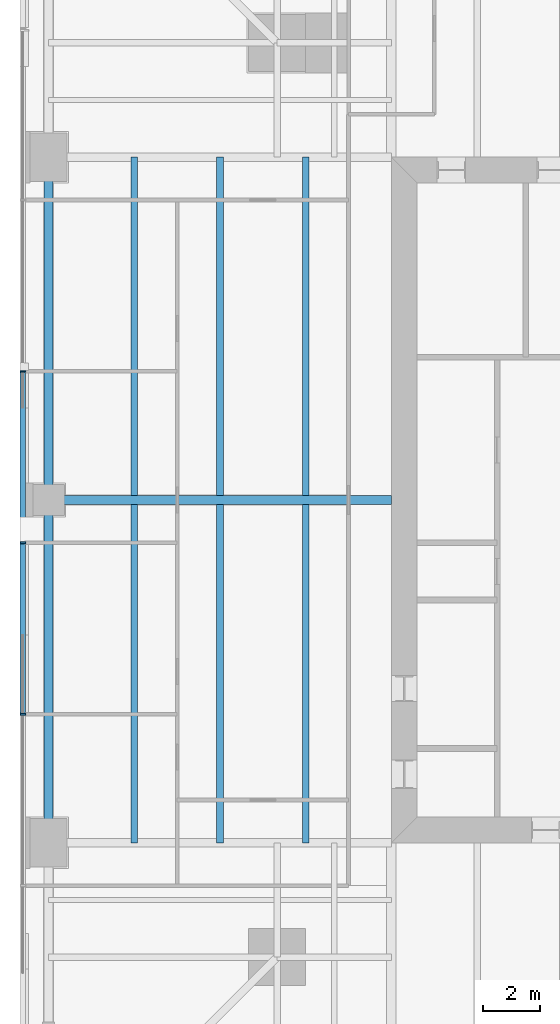
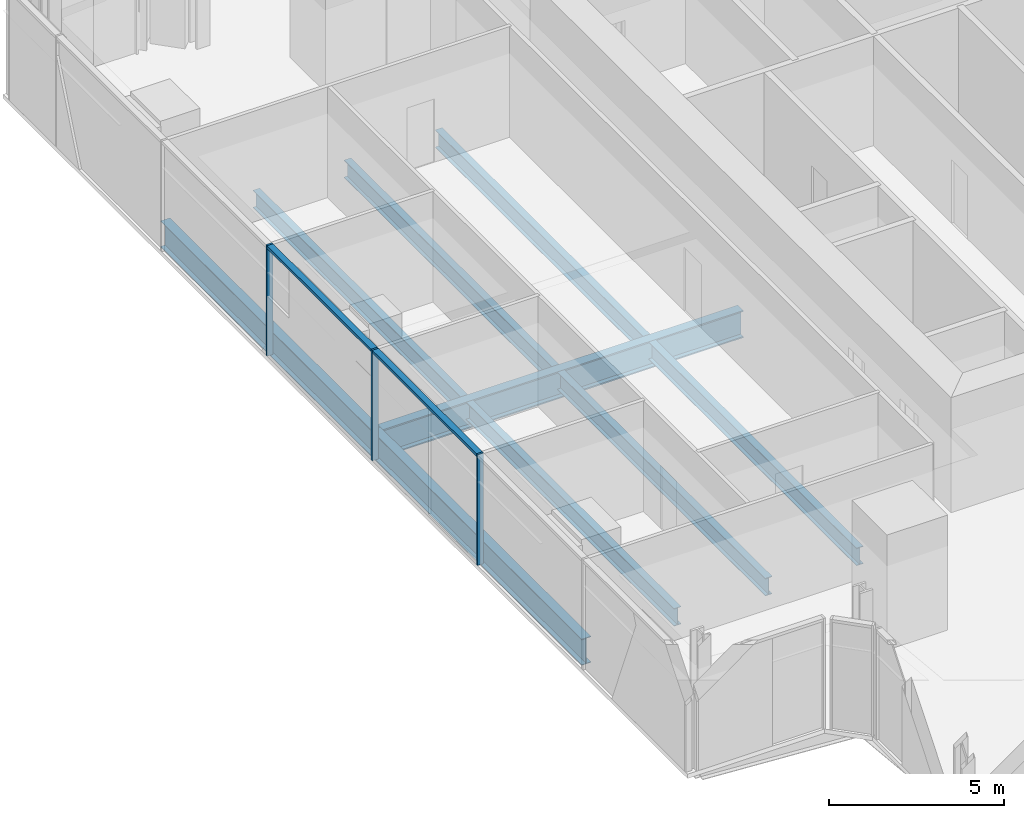
# One storey, part 4 of 16: 9 beams, 5 members, 1 element without a shape of its own.
"""IFC4 building model written with IfcOpenShell, lengths in metres."""

from ifc_helpers import new_model, si_unit, direction, frame, origin, origin_2d, place, context, subcontext, project, spatial, rectangle, i_section, extrude, material, material_profile, profile_set, type_object, element, aggregate, save


model = new_model("IFC4")

# Units and contexts
model_context = context("Model", 3, precision=1e-05, world=origin(), true_north=direction((0.0, 1.0)))
body_context = subcontext(model_context, "Body", "Model", "MODEL_VIEW")
ifc_project = project(units=[si_unit("LENGTHUNIT", "METRE"), si_unit("AREAUNIT", "SQUARE_METRE"), si_unit("VOLUMEUNIT", "CUBIC_METRE"), si_unit("PLANEANGLEUNIT", "RADIAN"), si_unit("MASSUNIT", "GRAM", prefix="KILO")], contexts=[model_context])

# Site, building, storey
site_placement = place(None, origin())
site = spatial("IfcSite", under=ifc_project, at=site_placement, CompositionType="ELEMENT")
building_placement = place(site_placement, origin())
building = spatial("IfcBuilding", under=site, at=building_placement, Name="Fenwick Lantern Interchange", CompositionType="ELEMENT")
storey_placement = place(building_placement, frame((0.0, 0.0, 213.800048828125)))
storey = spatial("IfcBuildingStorey", under=building, at=storey_placement, Name="L50", CompositionType="ELEMENT", Elevation=213.800048828125)

# Beams
ifc_material_1 = material(Name="Steel ASTM A992 Grade 50", Category="steel")
ifc_material_profile_1 = material_profile(ifc_material_1, i_section(OverallWidth=0.3046875, OverallDepth=0.911865234375, WebThickness=0.015869140625, FlangeThickness=0.02392578125, at=origin_2d()), Name="W36X150")
ifc_profile_set_1 = profile_set([ifc_material_profile_1], Name="Steel ASTM A992 Grade 50")
beam_type_1 = type_object("IfcBeamType", Name="EDGE BEAM W36X150", PredefinedType="SPANDREL", material=ifc_profile_set_1)
for number, where, z_axis, x_axis, name in (
    (1, (1.0, 37.0, -0.60595703125), (0.0, -1.0, 0.0), (1.0, 0.0, 0.0), "L50/FR/W/EB2"),
    (2, (1.0, 25.0, -0.60595703125), (0.0, -1.0, 0.0), (1.0, 0.0, 0.0), "L50/FR/W/EB3"),
):
    element("IfcBeam", number, at=place(storey_placement, frame(where, z_axis=z_axis, x_axis=x_axis)), inside=storey, type_object=beam_type_1, Name=name, PredefinedType="SPANDREL", context=body_context, shape_type="SweptSolid", body=[
        extrude(i_section(OverallWidth=0.3046875, OverallDepth=0.911865234375, WebThickness=0.015869140625, FlangeThickness=0.02392578125, at=origin_2d()), origin(), (0.0, 0.0, 1.0), 12.0),
    ])
ifc_material_profile_2 = material_profile(ifc_material_1, i_section(OverallWidth=0.22900390625, OverallDepth=0.612060546875, WebThickness=0.011962890625, FlangeThickness=0.01953125, at=origin_2d()), Name="W24X84")
ifc_profile_set_2 = profile_set([ifc_material_profile_2], Name="Steel ASTM A992 Grade 50")
beam_type_2 = type_object("IfcBeamType", Name="FLOOR BEAM W24X84", PredefinedType="BEAM", material=ifc_profile_set_2)
for number, where, z_axis, x_axis, name in (
    (3, (4.0, 37.0, -0.4560546875), (0.0, -1.0, 0.0), (1.0, 0.0, 0.0), "L50/FR/W/B01"),
    (4, (7.0, 37.0, -0.4560546875), (0.0, -1.0, 0.0), (1.0, 0.0, 0.0), "L50/FR/W/B02"),
    (5, (10.0, 37.0, -0.4560546875), (0.0, -1.0, 0.0), (1.0, 0.0, 0.0), "L50/FR/W/B03"),
    (6, (4.0, 24.844970703125, -0.4560546875), (0.0, -1.0, 0.0), (1.0, 0.0, 0.0), "L50/FR/W/B04"),
    (7, (7.0, 24.844970703125, -0.4560546875), (0.0, -1.0, 0.0), (1.0, 0.0, 0.0), "L50/FR/W/B05"),
    (8, (10.0, 24.844970703125, -0.4560546875), (0.0, -1.0, 0.0), (1.0, 0.0, 0.0), "L50/FR/W/B06"),
):
    element("IfcBeam", number, at=place(storey_placement, frame(where, z_axis=z_axis, x_axis=x_axis)), inside=storey, type_object=beam_type_2, Name=name, PredefinedType="BEAM", context=body_context, shape_type="SweptSolid", body=[
        extrude(i_section(OverallWidth=0.22900390625, OverallDepth=0.612060546875, WebThickness=0.011962890625, FlangeThickness=0.01953125, at=origin_2d()), origin(), (0.0, 0.0, 1.0), 11.844970703125),
    ])
ifc_material_profile_3 = material_profile(ifc_material_1, i_section(OverallWidth=0.309814453125, OverallDepth=0.949951171875, WebThickness=0.0244140625, FlangeThickness=0.0439453125, at=origin_2d()), Name="W36X256")
ifc_profile_set_3 = profile_set([ifc_material_profile_3], Name="Steel ASTM A992 Grade 50")
beam_type_3 = type_object("IfcBeamType", Name="MOMENT-CONNECTED GIRDER W36X256", PredefinedType="BEAM", material=ifc_profile_set_3)
beam_placement = place(storey_placement, frame((1.0, 25.0, -0.625), z_axis=(1.0, 0.0, 0.0), x_axis=(0.0, 1.0, 0.0)))
element("IfcBeam", 9, at=beam_placement, inside=storey, type_object=beam_type_3, Name="L50/FR/W/R02", PredefinedType="BEAM", context=body_context, shape_type="SweptSolid", body=[
    extrude(i_section(OverallWidth=0.309814453125, OverallDepth=0.949951171875, WebThickness=0.0244140625, FlangeThickness=0.0439453125, at=origin_2d()), origin(), (0.0, 0.0, 1.0), 12.0),
])

# Curtain wall, members
ifc_material_2 = material(Name="Aluminium curtain wall frame", Category="aluminium")
curtain_wall_type = type_object("IfcCurtainWallType", Name="OFFICE CURTAIN WALL", PredefinedType="USERDEFINED", material=ifc_material_2)
curtain_wall_placement = place(storey_placement, origin())
curtain_wall = element("IfcCurtainWall", 10, at=curtain_wall_placement, inside=storey, type_object=curtain_wall_type, Name="Office curtain wall 13", ObjectType="OFFICE CURTAIN WALL", PredefinedType="USERDEFINED")
ifc_material_3 = material(Name="Aluminium extrusion", Category="aluminium")
ifc_material_profile_4 = material_profile(ifc_material_3, rectangle(XDim=0.199951171875, YDim=0.06494140625, at=origin_2d()), Name="OFFICE CURTAIN WALL MULLION 65 X 200")
ifc_profile_set_4 = profile_set([ifc_material_profile_4], Name="Aluminium extrusion")
member_type_1 = type_object("IfcMemberType", Name="OFFICE CURTAIN WALL MULLION 65 X 200", PredefinedType="MULLION", material=ifc_profile_set_4)
member_1_placement = place(storey_placement, frame((0.10009765625, 29.5, 0.0), z_axis=(0.0, 0.0, 1.0), x_axis=(1.0, 0.0, 0.0)))
member_1 = element("IfcMember", 11, at=member_1_placement, type_object=member_type_1, Name="L50/CW/13/M03", PredefinedType="MULLION", context=body_context, shape_type="SweptSolid", body=[
    extrude(rectangle(XDim=0.199951171875, YDim=0.06494140625, at=origin_2d()), origin(), (0.0, 0.0, 1.0), 3.849853515625),
])
member_2_placement = place(storey_placement, frame((0.10009765625, 23.5, 0.0), z_axis=(0.0, 0.0, 1.0), x_axis=(1.0, 0.0, 0.0)))
member_2 = element("IfcMember", 12, at=member_2_placement, type_object=member_type_1, Name="L50/CW/13/M04", PredefinedType="MULLION", context=body_context, shape_type="SweptSolid", body=[
    extrude(rectangle(XDim=0.199951171875, YDim=0.06494140625, at=origin_2d()), origin(), (0.0, 0.0, 1.0), 3.849853515625),
])
member_3_placement = place(storey_placement, frame((0.10009765625, 17.5, 0.0), z_axis=(0.0, 0.0, 1.0), x_axis=(1.0, 0.0, 0.0)))
member_3 = element("IfcMember", 13, at=member_3_placement, type_object=member_type_1, Name="L50/CW/13/M05", PredefinedType="MULLION", context=body_context, shape_type="SweptSolid", body=[
    extrude(rectangle(XDim=0.199951171875, YDim=0.06494140625, at=origin_2d()), origin(), (0.0, 0.0, 1.0), 3.849853515625),
])
ifc_material_profile_5 = material_profile(ifc_material_3, rectangle(XDim=0.199951171875, YDim=0.10009765625, at=origin_2d()), Name="OFFICE CURTAIN WALL TRANSOM 100 X 200")
ifc_profile_set_5 = profile_set([ifc_material_profile_5], Name="Aluminium extrusion")
member_type_2 = type_object("IfcMemberType", Name="OFFICE CURTAIN WALL TRANSOM 100 X 200", PredefinedType="MULLION", material=ifc_profile_set_5)
member_4_placement = place(storey_placement, frame((0.10009765625, 29.467529296875, 3.800048828125), z_axis=(0.0, -1.0, 0.0), x_axis=(1.0, 0.0, 0.0)))
member_4 = element("IfcMember", 14, at=member_4_placement, type_object=member_type_2, Name="L50/CW/13/T03", PredefinedType="MULLION", context=body_context, shape_type="SweptSolid", body=[
    extrude(rectangle(XDim=0.199951171875, YDim=0.10009765625, at=origin_2d()), origin(), (0.0, 0.0, 1.0), 5.93505859375),
])
member_5_placement = place(storey_placement, frame((0.10009765625, 23.467529296875, 3.800048828125), z_axis=(0.0, -1.0, 0.0), x_axis=(1.0, 0.0, 0.0)))
member_5 = element("IfcMember", 15, at=member_5_placement, type_object=member_type_2, Name="L50/CW/13/T04", PredefinedType="MULLION", context=body_context, shape_type="SweptSolid", body=[
    extrude(rectangle(XDim=0.199951171875, YDim=0.10009765625, at=origin_2d()), origin(), (0.0, 0.0, 1.0), 5.93505859375),
])
aggregate(curtain_wall, [member_1, member_2, member_3, member_4, member_5])

save(model, "model.ifc")
